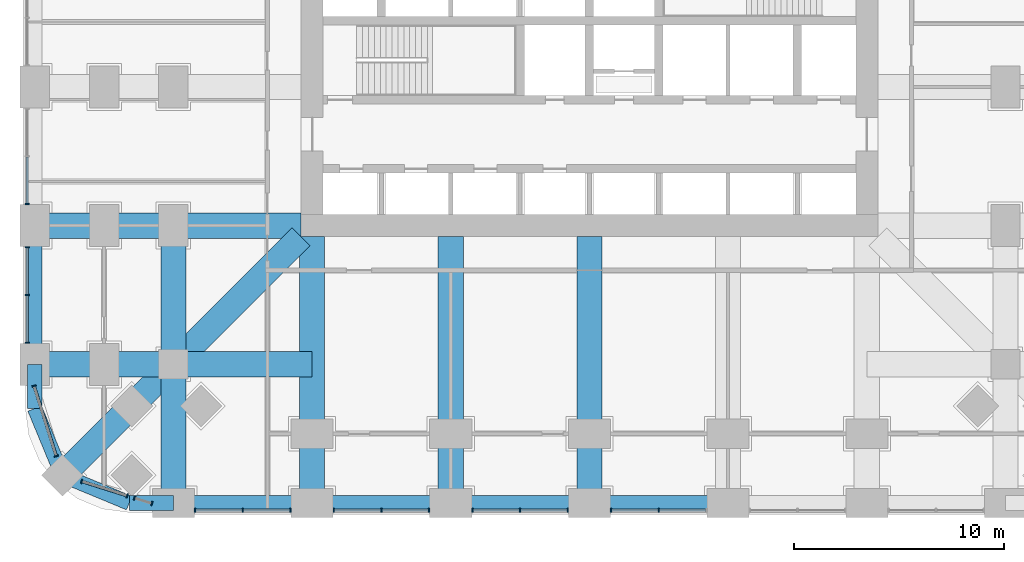
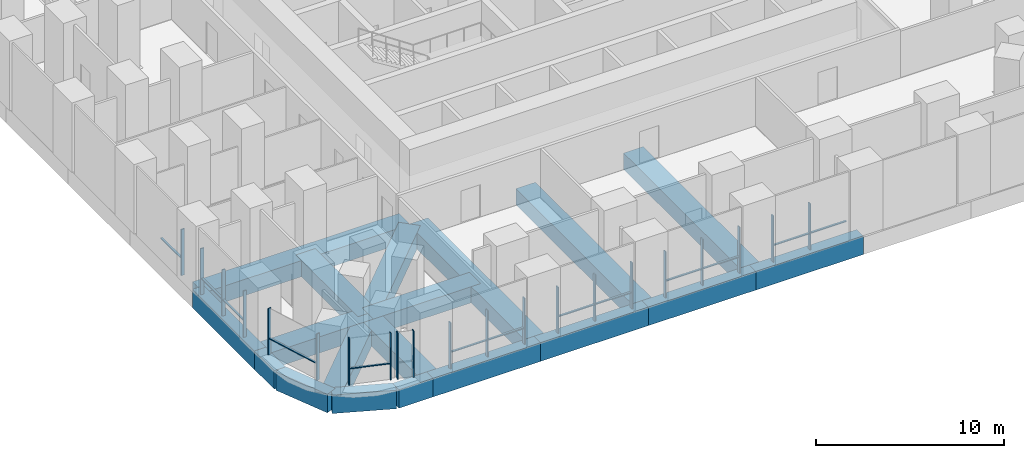
# One storey, part 2 of 17: 34 members, 19 beams, 9 elements without a shape of their own.
"""IFC4 building model written with IfcOpenShell, lengths in metres."""

import ifcopenshell
import ifcopenshell.guid

model = None  # the IFC model being written
_history = None  # IfcOwnerHistory: only IFC2X3 demands one
_inside = {}  # id of a spatial element -> (the spatial element, [elements in it])
_under = {}  # id of a project, library or spatial element -> (it, [spatial elements below it])
_declared = {}  # id of a project -> (the project, [libraries it declares])
_typed = {}  # id of a type object -> (the type object, [elements of that type])
_made_of = {}  # id of a material, layer set ... -> (it, [elements and type objects made of it])


def new_model(schema):
    """Start an empty IFC model of exactly this schema.

    Asked for "IFC4X3", IfcOpenShell would pick the latest addendum, in which some entities
    have other attributes; the version numbers below select the first issue.
    IFC2X3 requires an IfcOwnerHistory on every rooted entity: one is made here for all.
    """
    global model, _history
    if schema == "IFC4X3":
        model = ifcopenshell.file(schema_version=(4, 3, 0, 0))
    else:
        model = ifcopenshell.file(schema=schema)
    _inside.clear()
    _under.clear()
    _declared.clear()
    _typed.clear()
    _made_of.clear()
    _history = None
    if model.schema == "IFC2X3":
        org = make("IfcOrganization", Name="unknown")
        user = make(
            "IfcPersonAndOrganization",
            ThePerson=make("IfcPerson", FamilyName="unknown"),
            TheOrganization=org,
        )
        app = make(
            "IfcApplication",
            ApplicationDeveloper=org,
            Version="unknown",
            ApplicationFullName="unknown",
            ApplicationIdentifier="unknown",
        )
        _history = make(
            "IfcOwnerHistory",
            OwningUser=user,
            OwningApplication=app,
            ChangeAction="ADDED",
            CreationDate=0,
        )
    return model


def make(cls, **values):
    """One entity of the class cls with the attributes given. An attribute that is None is left unset."""
    return model.create_entity(
        cls, **{name: value for name, value in values.items() if value is not None}
    )


def rooted(cls, **values):
    """An entity with a GlobalId (a new one), such as an element, a storey or a relation."""
    return make(cls, GlobalId=ifcopenshell.guid.new(), OwnerHistory=_history, **values)


def si_unit(unit_type, name, prefix=None):
    """IfcSIUnit, for example si_unit("LENGTHUNIT", "METRE", prefix="MILLI")."""
    return make("IfcSIUnit", UnitType=unit_type, Prefix=prefix, Name=name)


def assignment(units):
    """IfcUnitAssignment: the units of a project."""
    return None if units is None else make("IfcUnitAssignment", Units=units)


def point(xyz):
    """IfcCartesianPoint."""
    return None if xyz is None else make("IfcCartesianPoint", Coordinates=xyz)


def direction(xyz):
    """IfcDirection."""
    return None if xyz is None else make("IfcDirection", DirectionRatios=xyz)


def frame(location, z_axis=None, x_axis=None):
    """IfcAxis2Placement3D, a coordinate frame: its origin and axes. An axis left out is left unset."""
    return make(
        "IfcAxis2Placement3D",
        Location=point(location),
        Axis=direction(z_axis),
        RefDirection=direction(x_axis),
    )


def frame_2d(location, x_axis=None):
    """IfcAxis2Placement2D, a coordinate frame in the plane: its origin and x axis."""
    return make(
        "IfcAxis2Placement2D", Location=point(location), RefDirection=direction(x_axis)
    )


def origin():
    """The frame at (0, 0, 0) with its axes left unset."""
    return frame((0.0, 0.0, 0.0))


def origin_2d():
    """The frame at (0, 0) in the plane with its x axis left unset."""
    return frame_2d((0.0, 0.0))


def place(relative_to, where):
    """IfcLocalPlacement: puts the frame where relative to a parent placement (None: the world)."""
    return make(
        "IfcLocalPlacement", PlacementRelTo=relative_to, RelativePlacement=where
    )


def context(
    kind, dimensions, precision=None, world=None, true_north=None, identifier=None
):
    """IfcGeometricRepresentationContext, for example the 3D "Model" context."""
    return make(
        "IfcGeometricRepresentationContext",
        ContextIdentifier=identifier,
        ContextType=kind,
        CoordinateSpaceDimension=dimensions,
        Precision=precision,
        WorldCoordinateSystem=world,
        TrueNorth=true_north,
    )


def subcontext(parent, identifier, kind, view, scale=None):
    """IfcGeometricRepresentationSubContext, for example "Body" below "Model"."""
    return make(
        "IfcGeometricRepresentationSubContext",
        ContextIdentifier=identifier,
        ContextType=kind,
        ParentContext=parent,
        TargetScale=scale,
        TargetView=view,
    )


def project(units=None, contexts=None):
    """IfcProject with its units and contexts."""
    return rooted(
        "IfcProject",
        Name="project",
        RepresentationContexts=contexts,
        UnitsInContext=assignment(units),
    )


def spatial(cls, under=None, at=None, **own):
    """A site, building, storey or space (cls), placed at a placement, below another one or the project."""
    s = rooted(cls, ObjectPlacement=at, **own)
    if under is not None:
        _under.setdefault(under.id(), (under, []))[1].append(s)
    return s


def profile(cls, at=None, kind="AREA", **sizes):
    """A parametric profile (cls). Its sizes go by their IFC names, for example OverallWidth=200.0."""
    return make(cls, ProfileType=kind, Position=at, **sizes)


def rectangle(**sizes):
    """IfcRectangleProfileDef."""
    return profile("IfcRectangleProfileDef", **sizes)


def extrude(swept, where, along, depth):
    """IfcExtrudedAreaSolid: the profile swept, set in the frame where, extruded along a direction by depth."""
    return make(
        "IfcExtrudedAreaSolid",
        SweptArea=swept,
        Position=where,
        ExtrudedDirection=direction(along),
        Depth=depth,
    )


def shape(context_of_items, identifier, shape_type, items):
    """IfcShapeRepresentation: the items that make up one representation, for example the "Body"."""
    return make(
        "IfcShapeRepresentation",
        ContextOfItems=context_of_items,
        RepresentationIdentifier=identifier,
        RepresentationType=shape_type,
        Items=items,
    )


def material(Name=None, Category=None):
    """IfcMaterial."""
    return make("IfcMaterial", Name=Name, Category=Category)


def material_profile(
    of_material, cross_section, Name=None, Category=None, Priority=None
):
    """IfcMaterialProfile: a cross section and its material."""
    return make(
        "IfcMaterialProfile",
        Name=Name,
        Material=of_material,
        Profile=cross_section,
        Priority=Priority,
        Category=Category,
    )


def profile_set(profiles, Name=None, composite=None):
    """IfcMaterialProfileSet."""
    return make(
        "IfcMaterialProfileSet",
        Name=Name,
        MaterialProfiles=profiles,
        CompositeProfile=composite,
    )


def made_of(thing, what):
    """Note that an element or type object is made of a material, layer set ...; save() writes the relation."""
    if what is not None:
        _made_of.setdefault(what.id(), (what, []))[1].append(thing)
    return thing


def type_object(cls, material=None, **own):
    """A type object (cls), such as IfcWallType, which elements share."""
    return made_of(rooted(cls, **own), material)


def element(
    cls,
    number,
    at=None,
    inside=None,
    cuts=None,
    type_object=None,
    material=None,
    context=None,
    identifier="Body",
    shape_type=None,
    held_by="IfcProductDefinitionShape",
    body=None,
    shapes=None,
    **own,
):
    """One element of the class cls, such as IfcWall. Its Tag is "e" and its number.

    at: its placement. inside: the storey or other place that contains it. cuts: it is an
    opening in that element (IfcRelVoidsElement). A single representation is given by context,
    identifier, shape_type and body (its items); several are given by shapes. held_by: the class
    of the entity that holds the representations. save() writes the other relations.
    """
    e = rooted(cls, Tag="e%d" % number, ObjectPlacement=at, **own)
    if body is not None:
        shapes = [shape(context, identifier, shape_type, body)]
    if shapes is not None:
        e.Representation = make(held_by, Representations=shapes)
    if inside is not None:
        _inside.setdefault(inside.id(), (inside, []))[1].append(e)
    if cuts is not None:
        rooted(
            "IfcRelVoidsElement", RelatingBuildingElement=cuts, RelatedOpeningElement=e
        )
    if type_object is not None:
        _typed.setdefault(type_object.id(), (type_object, []))[1].append(e)
    return made_of(e, material)


def aggregate(whole, parts):
    """IfcRelAggregates: a whole, such as a stair, and the parts it consists of."""
    return rooted("IfcRelAggregates", RelatingObject=whole, RelatedObjects=parts)


def save(model, path):
    """Write the relations noted so far, then the file.

    IfcRelAggregates (storeys below a building ...), IfcRelContainedInSpatialStructure (elements
    in a storey), IfcRelDefinesByType, IfcRelAssociatesMaterial and IfcRelDeclares: one each for
    every whole, place, type object, material and project.
    """
    for whole, parts in _under.values():
        aggregate(whole, parts)
    for where, things in _inside.values():
        rooted(
            "IfcRelContainedInSpatialStructure",
            RelatedElements=things,
            RelatingStructure=where,
        )
    for kind, things in _typed.values():
        rooted("IfcRelDefinesByType", RelatedObjects=things, RelatingType=kind)
    for what, things in _made_of.values():
        rooted("IfcRelAssociatesMaterial", RelatedObjects=things, RelatingMaterial=what)
    for by, libraries in _declared.values():
        rooted("IfcRelDeclares", RelatingContext=by, RelatedDefinitions=libraries)
    model.write(path)


model = new_model("IFC4")

# Units and contexts
model_context = context("Model", 3, precision=1e-05, world=origin(), true_north=direction((0.0, 1.0)))
body_context = subcontext(model_context, "Body", "Model", "MODEL_VIEW")
ifc_project = project(units=[si_unit("LENGTHUNIT", "METRE"), si_unit("AREAUNIT", "SQUARE_METRE"), si_unit("VOLUMEUNIT", "CUBIC_METRE"), si_unit("PLANEANGLEUNIT", "RADIAN"), si_unit("MASSUNIT", "GRAM", prefix="KILO")], contexts=[model_context])

# Site, building, storey
site_placement = place(None, origin())
site = spatial("IfcSite", under=ifc_project, at=site_placement, CompositionType="ELEMENT")
building_placement = place(site_placement, origin())
building = spatial("IfcBuilding", under=site, at=building_placement, Name="Cobogo Forest Laboratory Tower", CompositionType="ELEMENT")
storey_placement = place(building_placement, frame((0.0, 0.0, 12.60009765625)))
storey = spatial("IfcBuildingStorey", under=building, at=storey_placement, Name="L02", CompositionType="ELEMENT", Elevation=12.60009765625)

# Beams
ifc_material_1 = material(Name="Concrete HA-40 (C40/50)", Category="concrete")
ifc_material_profile_1 = material_profile(ifc_material_1, rectangle(XDim=1.199951171875, YDim=1.050048828125, at=origin_2d()), Name="RC 1200x1050")
ifc_profile_set_1 = profile_set([ifc_material_profile_1], Name="Concrete HA-40 (C40/50)")
beam_type_1 = type_object("IfcBeamType", Name="Laboratory floor wide beam 1200x1050", PredefinedType="BEAM", material=ifc_profile_set_1)
for number, where, z_axis, x_axis, name in (
    (1, (13.199951171875, 12.675048828125, -0.8251953125), (0.0, -1.0, 0.0), (1.0, 0.0, 0.0), "RB1 R-3-S L02"),
    (2, (19.800048828125, 12.675048828125, -0.8251953125), (0.0, -1.0, 0.0), (1.0, 0.0, 0.0), "RB1 R-4-S L02"),
    (3, (26.39990234375, 12.675048828125, -0.8251953125), (0.0, -1.0, 0.0), (1.0, 0.0, 0.0), "RB1 R-5-S L02"),
    (4, (12.675048828125, 13.199951171875, -0.8251953125), (-1.0, 0.0, 0.0), (0.0, -1.0, 0.0), "RB1 R-C-W L02"),
):
    element("IfcBeam", number, at=place(storey_placement, frame(where, z_axis=z_axis, x_axis=x_axis)), inside=storey, type_object=beam_type_1, Name=name, PredefinedType="BEAM", context=body_context, shape_type="SweptSolid", body=[
        extrude(rectangle(XDim=1.199951171875, YDim=1.050048828125, at=origin_2d()), origin(), (0.0, 0.0, 1.0), 12.675048828125),
    ])
beam_1_placement = place(storey_placement, frame((6.60009765625, 0.0, -0.8251953125), z_axis=(0.0, 1.0, 0.0), x_axis=(-1.0, 0.0, 0.0)))
element("IfcBeam", 5, at=beam_1_placement, inside=storey, type_object=beam_type_1, Name="RB1 G-SW-XF L02", PredefinedType="BEAM", context=body_context, shape_type="SweptSolid", body=[
    extrude(rectangle(XDim=1.199951171875, YDim=1.050048828125, at=origin_2d()), origin(), (0.0, 0.0, 1.0), 6.60009765625),
])
beam_2_placement = place(storey_placement, frame((6.60009765625, 6.60009765625, -0.8251953125), z_axis=(0.0, 1.0, 0.0), x_axis=(-1.0, 0.0, 0.0)))
element("IfcBeam", 6, at=beam_2_placement, inside=storey, type_object=beam_type_1, Name="RB1 G-SW-XC L02", PredefinedType="BEAM", context=body_context, shape_type="SweptSolid", body=[
    extrude(rectangle(XDim=1.199951171875, YDim=1.050048828125, at=origin_2d()), origin(), (0.0, 0.0, 1.0), 6.599853515625),
])
beam_3_placement = place(storey_placement, frame((0.0, 6.60009765625, -0.8251953125), z_axis=(1.0, 0.0, 0.0), x_axis=(0.0, 1.0, 0.0)))
element("IfcBeam", 7, at=beam_3_placement, inside=storey, type_object=beam_type_1, Name="RB1 G-SW-YF L02", PredefinedType="BEAM", context=body_context, shape_type="SweptSolid", body=[
    extrude(rectangle(XDim=1.199951171875, YDim=1.050048828125, at=origin_2d()), origin(), (0.0, 0.0, 1.0), 6.60009765625),
])
beam_4_placement = place(storey_placement, frame((6.60009765625, 6.60009765625, -0.8251953125), z_axis=(1.0, 0.0, 0.0), x_axis=(0.0, 1.0, 0.0)))
element("IfcBeam", 8, at=beam_4_placement, inside=storey, type_object=beam_type_1, Name="RB1 G-SW-YC L02", PredefinedType="BEAM", context=body_context, shape_type="SweptSolid", body=[
    extrude(rectangle(XDim=1.199951171875, YDim=1.050048828125, at=origin_2d()), origin(), (0.0, 0.0, 1.0), 6.599853515625),
])
beam_5_placement = place(storey_placement, frame((1.318115234375, 1.318115234375, -0.8251953125), z_axis=(0.707106781187, 0.707106781187, 0.0), x_axis=(-0.707106781187, 0.707106781187, 0.0)))
element("IfcBeam", 9, at=beam_5_placement, inside=storey, type_object=beam_type_1, Name="RB1 G-SW-D1 L02", PredefinedType="BEAM", context=body_context, shape_type="SweptSolid", body=[
    extrude(rectangle(XDim=1.199951171875, YDim=1.050048828125, at=origin_2d()), origin(), (0.0, 0.0, 1.0), 7.469970703125),
])
beam_6_placement = place(storey_placement, frame((6.60009765625, 6.60009765625, -0.8251953125), z_axis=(0.707106781187, 0.707106781187, 0.0), x_axis=(-0.707106781187, 0.707106781187, 0.0)))
element("IfcBeam", 10, at=beam_6_placement, inside=storey, type_object=beam_type_1, Name="RB1 G-SW-D2 L02", PredefinedType="BEAM", context=body_context, shape_type="SweptSolid", body=[
    extrude(rectangle(XDim=1.199951171875, YDim=1.050048828125, at=origin_2d()), origin(), (0.0, 0.0, 1.0), 8.59130859375),
])

# Curtain wall, members
ifc_material_2 = material(Name="Aluminium curtain wall", Category="aluminium")
curtain_wall_type = type_object("IfcCurtainWallType", Name="CW-K stick curtain wall, podium laboratories", PredefinedType="USERDEFINED", material=ifc_material_2)
curtain_wall_1_placement = place(storey_placement, origin())
curtain_wall_1 = element("IfcCurtainWall", 11, at=curtain_wall_1_placement, inside=storey, type_object=curtain_wall_type, Name="Curtain wall 01 L02", ObjectType="STICK CURTAIN WALL", PredefinedType="USERDEFINED")
ifc_material_3 = material(Name="Aluminium mullion", Category="aluminium")
ifc_material_profile_2 = material_profile(ifc_material_3, rectangle(XDim=0.06005859375, YDim=0.199951171875, at=origin_2d()), Name="AL 60x200")
ifc_profile_set_2 = profile_set([ifc_material_profile_2], Name="Aluminium mullion")
member_type_1 = type_object("IfcMemberType", Name="MU-2 aluminium mullion 60x200", PredefinedType="MULLION", material=ifc_profile_set_2)
member_1_placement = place(storey_placement, frame((7.6298828125, -0.35009765625, 0.0), z_axis=(0.0, 0.0, 1.0), x_axis=(1.0, 0.0, 0.0)))
member_1 = element("IfcMember", 12, at=member_1_placement, type_object=member_type_1, Name="CW-K mullion 1", PredefinedType="MULLION", context=body_context, shape_type="SweptSolid", body=[
    extrude(rectangle(XDim=0.06005859375, YDim=0.199951171875, at=origin_2d()), origin(), (0.0, 0.0, 1.0), 3.0),
])
member_2_placement = place(storey_placement, frame((9.89990234375, -0.35009765625, 0.0), z_axis=(0.0, 0.0, 1.0), x_axis=(1.0, 0.0, 0.0)))
member_2 = element("IfcMember", 13, at=member_2_placement, type_object=member_type_1, Name="CW-K mullion 2", PredefinedType="MULLION", context=body_context, shape_type="SweptSolid", body=[
    extrude(rectangle(XDim=0.06005859375, YDim=0.199951171875, at=origin_2d()), origin(), (0.0, 0.0, 1.0), 3.0),
])
member_3_placement = place(storey_placement, frame((12.169921875, -0.35009765625, 0.0), z_axis=(0.0, 0.0, 1.0), x_axis=(1.0, 0.0, 0.0)))
member_3 = element("IfcMember", 14, at=member_3_placement, type_object=member_type_1, Name="CW-K mullion 3", PredefinedType="MULLION", context=body_context, shape_type="SweptSolid", body=[
    extrude(rectangle(XDim=0.06005859375, YDim=0.199951171875, at=origin_2d()), origin(), (0.0, 0.0, 1.0), 3.0),
])

curtain_wall_2_placement = place(storey_placement, origin())
curtain_wall_2 = element("IfcCurtainWall", 15, at=curtain_wall_2_placement, inside=storey, type_object=curtain_wall_type, Name="Curtain wall 02 L02", ObjectType="STICK CURTAIN WALL", PredefinedType="USERDEFINED")
member_4_placement = place(storey_placement, frame((14.22998046875, -0.35009765625, 0.0), z_axis=(0.0, 0.0, 1.0), x_axis=(1.0, 0.0, 0.0)))
member_4 = element("IfcMember", 16, at=member_4_placement, type_object=member_type_1, Name="CW-K mullion 1", PredefinedType="MULLION", context=body_context, shape_type="SweptSolid", body=[
    extrude(rectangle(XDim=0.06005859375, YDim=0.199951171875, at=origin_2d()), origin(), (0.0, 0.0, 1.0), 3.0),
])
member_5_placement = place(storey_placement, frame((16.5, -0.35009765625, 0.0), z_axis=(0.0, 0.0, 1.0), x_axis=(1.0, 0.0, 0.0)))
member_5 = element("IfcMember", 17, at=member_5_placement, type_object=member_type_1, Name="CW-K mullion 2", PredefinedType="MULLION", context=body_context, shape_type="SweptSolid", body=[
    extrude(rectangle(XDim=0.06005859375, YDim=0.199951171875, at=origin_2d()), origin(), (0.0, 0.0, 1.0), 3.0),
])
member_6_placement = place(storey_placement, frame((18.77001953125, -0.35009765625, 0.0), z_axis=(0.0, 0.0, 1.0), x_axis=(1.0, 0.0, 0.0)))
member_6 = element("IfcMember", 18, at=member_6_placement, type_object=member_type_1, Name="CW-K mullion 3", PredefinedType="MULLION", context=body_context, shape_type="SweptSolid", body=[
    extrude(rectangle(XDim=0.06005859375, YDim=0.199951171875, at=origin_2d()), origin(), (0.0, 0.0, 1.0), 3.0),
])

curtain_wall_3_placement = place(storey_placement, origin())
curtain_wall_3 = element("IfcCurtainWall", 19, at=curtain_wall_3_placement, inside=storey, type_object=curtain_wall_type, Name="Curtain wall 03 L02", ObjectType="STICK CURTAIN WALL", PredefinedType="USERDEFINED")
member_7_placement = place(storey_placement, frame((20.830078125, -0.35009765625, 0.0), z_axis=(0.0, 0.0, 1.0), x_axis=(1.0, 0.0, 0.0)))
member_7 = element("IfcMember", 20, at=member_7_placement, type_object=member_type_1, Name="CW-K mullion 1", PredefinedType="MULLION", context=body_context, shape_type="SweptSolid", body=[
    extrude(rectangle(XDim=0.06005859375, YDim=0.199951171875, at=origin_2d()), origin(), (0.0, 0.0, 1.0), 3.0),
])
member_8_placement = place(storey_placement, frame((23.10009765625, -0.35009765625, 0.0), z_axis=(0.0, 0.0, 1.0), x_axis=(1.0, 0.0, 0.0)))
member_8 = element("IfcMember", 21, at=member_8_placement, type_object=member_type_1, Name="CW-K mullion 2", PredefinedType="MULLION", context=body_context, shape_type="SweptSolid", body=[
    extrude(rectangle(XDim=0.06005859375, YDim=0.199951171875, at=origin_2d()), origin(), (0.0, 0.0, 1.0), 3.0),
])
member_9_placement = place(storey_placement, frame((25.3701171875, -0.35009765625, 0.0), z_axis=(0.0, 0.0, 1.0), x_axis=(1.0, 0.0, 0.0)))
member_9 = element("IfcMember", 22, at=member_9_placement, type_object=member_type_1, Name="CW-K mullion 3", PredefinedType="MULLION", context=body_context, shape_type="SweptSolid", body=[
    extrude(rectangle(XDim=0.06005859375, YDim=0.199951171875, at=origin_2d()), origin(), (0.0, 0.0, 1.0), 3.0),
])

curtain_wall_4_placement = place(storey_placement, origin())
curtain_wall_4 = element("IfcCurtainWall", 23, at=curtain_wall_4_placement, inside=storey, type_object=curtain_wall_type, Name="Curtain wall 04 L02", ObjectType="STICK CURTAIN WALL", PredefinedType="USERDEFINED")
member_10_placement = place(storey_placement, frame((27.429931640625, -0.35009765625, 0.0), z_axis=(0.0, 0.0, 1.0), x_axis=(1.0, 0.0, 0.0)))
member_10 = element("IfcMember", 24, at=member_10_placement, type_object=member_type_1, Name="CW-K mullion 1", PredefinedType="MULLION", context=body_context, shape_type="SweptSolid", body=[
    extrude(rectangle(XDim=0.06005859375, YDim=0.199951171875, at=origin_2d()), origin(), (0.0, 0.0, 1.0), 3.0),
])
member_11_placement = place(storey_placement, frame((29.699951171875, -0.35009765625, 0.0), z_axis=(0.0, 0.0, 1.0), x_axis=(1.0, 0.0, 0.0)))
member_11 = element("IfcMember", 25, at=member_11_placement, type_object=member_type_1, Name="CW-K mullion 2", PredefinedType="MULLION", context=body_context, shape_type="SweptSolid", body=[
    extrude(rectangle(XDim=0.06005859375, YDim=0.199951171875, at=origin_2d()), origin(), (0.0, 0.0, 1.0), 3.0),
])

# Curtain wall, member
curtain_wall_5_placement = place(storey_placement, origin())
curtain_wall_5 = element("IfcCurtainWall", 26, at=curtain_wall_5_placement, inside=storey, type_object=curtain_wall_type, Name="Curtain wall 30 L02", ObjectType="STICK CURTAIN WALL", PredefinedType="USERDEFINED")
member_12_placement = place(storey_placement, frame((-0.35009765625, 14.22998046875, 0.0), z_axis=(0.0, 0.0, 1.0), x_axis=(0.0, -1.0, 0.0)))
member_12 = element("IfcMember", 27, at=member_12_placement, type_object=member_type_1, Name="CW-K mullion 3", PredefinedType="MULLION", context=body_context, shape_type="SweptSolid", body=[
    extrude(rectangle(XDim=0.06005859375, YDim=0.199951171875, at=origin_2d()), origin(), (0.0, 0.0, 1.0), 3.0),
])

# Curtain wall, members
curtain_wall_6_placement = place(storey_placement, origin())
curtain_wall_6 = element("IfcCurtainWall", 28, at=curtain_wall_6_placement, inside=storey, type_object=curtain_wall_type, Name="Curtain wall 31 L02", ObjectType="STICK CURTAIN WALL", PredefinedType="USERDEFINED")
member_13_placement = place(storey_placement, frame((-0.35009765625, 12.169921875, 0.0), z_axis=(0.0, 0.0, 1.0), x_axis=(0.0, -1.0, 0.0)))
member_13 = element("IfcMember", 29, at=member_13_placement, type_object=member_type_1, Name="CW-K mullion 1", PredefinedType="MULLION", context=body_context, shape_type="SweptSolid", body=[
    extrude(rectangle(XDim=0.06005859375, YDim=0.199951171875, at=origin_2d()), origin(), (0.0, 0.0, 1.0), 3.0),
])
member_14_placement = place(storey_placement, frame((-0.35009765625, 9.89990234375, 0.0), z_axis=(0.0, 0.0, 1.0), x_axis=(0.0, -1.0, 0.0)))
member_14 = element("IfcMember", 30, at=member_14_placement, type_object=member_type_1, Name="CW-K mullion 2", PredefinedType="MULLION", context=body_context, shape_type="SweptSolid", body=[
    extrude(rectangle(XDim=0.06005859375, YDim=0.199951171875, at=origin_2d()), origin(), (0.0, 0.0, 1.0), 3.0),
])
member_15_placement = place(storey_placement, frame((-0.35009765625, 7.6298828125, 0.0), z_axis=(0.0, 0.0, 1.0), x_axis=(0.0, -1.0, 0.0)))
member_15 = element("IfcMember", 31, at=member_15_placement, type_object=member_type_1, Name="CW-K mullion 3", PredefinedType="MULLION", context=body_context, shape_type="SweptSolid", body=[
    extrude(rectangle(XDim=0.06005859375, YDim=0.199951171875, at=origin_2d()), origin(), (0.0, 0.0, 1.0), 3.0),
])

curtain_wall_7_placement = place(storey_placement, origin())
curtain_wall_7 = element("IfcCurtainWall", 32, at=curtain_wall_7_placement, inside=storey, type_object=curtain_wall_type, Name="Curtain wall 32 L02", ObjectType="STICK CURTAIN WALL", PredefinedType="USERDEFINED")
member_16_placement = place(storey_placement, frame((-0.025146484375, 5.5712890625, 0.0), z_axis=(0.0, 0.0, 1.0), x_axis=(0.301135433696, -0.953581381201, 0.0)))
member_16 = element("IfcMember", 33, at=member_16_placement, type_object=member_type_1, Name="CW-K mullion 1", PredefinedType="MULLION", context=body_context, shape_type="SweptSolid", body=[
    extrude(rectangle(XDim=0.06005859375, YDim=0.199951171875, at=origin_2d()), origin(), (0.0, 0.0, 1.0), 3.0),
])
member_17_placement = place(storey_placement, frame((1.02734375, 2.23876953125, 0.0), z_axis=(0.0, 0.0, 1.0), x_axis=(0.301135433696, -0.953581381201, 0.0)))
member_17 = element("IfcMember", 34, at=member_17_placement, type_object=member_type_1, Name="CW-K mullion 2", PredefinedType="MULLION", context=body_context, shape_type="SweptSolid", body=[
    extrude(rectangle(XDim=0.06005859375, YDim=0.199951171875, at=origin_2d()), origin(), (0.0, 0.0, 1.0), 3.0),
])

curtain_wall_8_placement = place(storey_placement, origin())
curtain_wall_8 = element("IfcCurtainWall", 35, at=curtain_wall_8_placement, inside=storey, type_object=curtain_wall_type, Name="Curtain wall 33 L02", ObjectType="STICK CURTAIN WALL", PredefinedType="USERDEFINED")
member_18_placement = place(storey_placement, frame((2.23876953125, 1.02734375, 0.0), z_axis=(0.0, 0.0, 1.0), x_axis=(0.953581409645, -0.301135343623, 0.0)))
member_18 = element("IfcMember", 36, at=member_18_placement, type_object=member_type_1, Name="CW-K mullion 1", PredefinedType="MULLION", context=body_context, shape_type="SweptSolid", body=[
    extrude(rectangle(XDim=0.06005859375, YDim=0.199951171875, at=origin_2d()), origin(), (0.0, 0.0, 1.0), 3.0),
])
member_19_placement = place(storey_placement, frame((4.39697265625, 0.345703125, 0.0), z_axis=(0.0, 0.0, 1.0), x_axis=(0.953581409645, -0.301135343623, 0.0)))
member_19 = element("IfcMember", 37, at=member_19_placement, type_object=member_type_1, Name="CW-K mullion 2", PredefinedType="MULLION", context=body_context, shape_type="SweptSolid", body=[
    extrude(rectangle(XDim=0.06005859375, YDim=0.199951171875, at=origin_2d()), origin(), (0.0, 0.0, 1.0), 3.0),
])

curtain_wall_9_placement = place(storey_placement, origin())
curtain_wall_9 = element("IfcCurtainWall", 38, at=curtain_wall_9_placement, inside=storey, type_object=curtain_wall_type, Name="Curtain wall 34 L02", ObjectType="STICK CURTAIN WALL", PredefinedType="USERDEFINED")
member_20_placement = place(storey_placement, frame((4.74658203125, 0.2353515625, 0.0), z_axis=(0.0, 0.0, 1.0), x_axis=(0.953581406818, -0.301135352577, 0.0)))
member_20 = element("IfcMember", 39, at=member_20_placement, type_object=member_type_1, Name="CW-K mullion 1", PredefinedType="MULLION", context=body_context, shape_type="SweptSolid", body=[
    extrude(rectangle(XDim=0.06005859375, YDim=0.199951171875, at=origin_2d()), origin(), (0.0, 0.0, 1.0), 3.0),
])
member_21_placement = place(storey_placement, frame((5.5712890625, -0.025146484375, 0.0), z_axis=(0.0, 0.0, 1.0), x_axis=(0.953581406818, -0.301135352577, 0.0)))
member_21 = element("IfcMember", 40, at=member_21_placement, type_object=member_type_1, Name="CW-K mullion 2", PredefinedType="MULLION", context=body_context, shape_type="SweptSolid", body=[
    extrude(rectangle(XDim=0.06005859375, YDim=0.199951171875, at=origin_2d()), origin(), (0.0, 0.0, 1.0), 3.0),
])
aggregate(curtain_wall_9, [member_20, member_21])

# Beams
ifc_material_profile_3 = material_profile(ifc_material_1, rectangle(XDim=0.699951171875, YDim=1.199951171875, at=origin_2d()), Name="RC 700x1200")
ifc_profile_set_3 = profile_set([ifc_material_profile_3], Name="Concrete HA-40 (C40/50)")
beam_type_2 = type_object("IfcBeamType", Name="Perimeter edge beam 700x1200", PredefinedType="BEAM", material=ifc_profile_set_3)
beam_7_placement = place(storey_placement, frame((6.60009765625, 0.0, -0.900146484375), z_axis=(1.0, 0.0, 0.0), x_axis=(0.0, 1.0, 0.0)))
element("IfcBeam", 41, at=beam_7_placement, inside=storey, type_object=beam_type_2, Name="EB1 E-S1 L02", PredefinedType="BEAM", context=body_context, shape_type="SweptSolid", body=[
    extrude(rectangle(XDim=0.699951171875, YDim=1.199951171875, at=origin_2d()), origin(), (0.0, 0.0, 1.0), 6.599853515625),
])
beam_8_placement = place(storey_placement, frame((13.199951171875, 0.0, -0.900146484375), z_axis=(1.0, 0.0, 0.0), x_axis=(0.0, 1.0, 0.0)))
element("IfcBeam", 42, at=beam_8_placement, inside=storey, type_object=beam_type_2, Name="EB1 E-S2 L02", PredefinedType="BEAM", context=body_context, shape_type="SweptSolid", body=[
    extrude(rectangle(XDim=0.699951171875, YDim=1.199951171875, at=origin_2d()), origin(), (0.0, 0.0, 1.0), 6.60009765625),
])
beam_9_placement = place(storey_placement, frame((19.800048828125, 0.0, -0.900146484375), z_axis=(1.0, 0.0, 0.0), x_axis=(0.0, 1.0, 0.0)))
element("IfcBeam", 43, at=beam_9_placement, inside=storey, type_object=beam_type_2, Name="EB1 E-S3 L02", PredefinedType="BEAM", context=body_context, shape_type="SweptSolid", body=[
    extrude(rectangle(XDim=0.699951171875, YDim=1.199951171875, at=origin_2d()), origin(), (0.0, 0.0, 1.0), 6.599853515625),
])
beam_10_placement = place(storey_placement, frame((26.39990234375, 0.0, -0.900146484375), z_axis=(1.0, 0.0, 0.0), x_axis=(0.0, 1.0, 0.0)))
element("IfcBeam", 44, at=beam_10_placement, inside=storey, type_object=beam_type_2, Name="EB1 E-S4 L02", PredefinedType="BEAM", context=body_context, shape_type="SweptSolid", body=[
    extrude(rectangle(XDim=0.699951171875, YDim=1.199951171875, at=origin_2d()), origin(), (0.0, 0.0, 1.0), 6.60009765625),
])
beam_11_placement = place(storey_placement, frame((0.0, 6.60009765625, -0.900146484375), z_axis=(0.0, 1.0, 0.0), x_axis=(-1.0, 0.0, 0.0)))
element("IfcBeam", 45, at=beam_11_placement, inside=storey, type_object=beam_type_2, Name="EB1 E-W1 L02", PredefinedType="BEAM", context=body_context, shape_type="SweptSolid", body=[
    extrude(rectangle(XDim=0.699951171875, YDim=1.199951171875, at=origin_2d()), origin(), (0.0, 0.0, 1.0), 6.599853515625),
])
beam_12_placement = place(storey_placement, frame((6.60009765625, 0.0, -0.900146484375), z_axis=(-1.0, 0.0, 0.0), x_axis=(0.0, -1.0, 0.0)))
element("IfcBeam", 46, at=beam_12_placement, inside=storey, type_object=beam_type_2, Name="EB1 E-SWS1 L02", PredefinedType="BEAM", context=body_context, shape_type="SweptSolid", body=[
    extrude(rectangle(XDim=0.699951171875, YDim=1.199951171875, at=origin_2d()), origin(), (0.0, 0.0, 1.0), 2.10009765625),
])
beam_13_placement = place(storey_placement, frame((4.5, 0.0, -0.900146484375), z_axis=(-0.923865631356, 0.382716990999, 0.0), x_axis=(-0.382716990999, -0.923865631356, 0.0)))
element("IfcBeam", 47, at=beam_13_placement, inside=storey, type_object=beam_type_2, Name="EB1 E-SWS2 L02", PredefinedType="BEAM", context=body_context, shape_type="SweptSolid", body=[
    extrude(rectangle(XDim=0.699951171875, YDim=1.199951171875, at=origin_2d()), origin(), (0.0, 0.0, 1.0), 3.444091796875),
])
beam_14_placement = place(storey_placement, frame((0.0, 6.60009765625, -0.900146484375), z_axis=(0.0, -1.0, 0.0), x_axis=(1.0, 0.0, 0.0)))
element("IfcBeam", 48, at=beam_14_placement, inside=storey, type_object=beam_type_2, Name="EB1 E-SWW1 L02", PredefinedType="BEAM", context=body_context, shape_type="SweptSolid", body=[
    extrude(rectangle(XDim=0.699951171875, YDim=1.199951171875, at=origin_2d()), origin(), (0.0, 0.0, 1.0), 2.10009765625),
])
beam_15_placement = place(storey_placement, frame((0.0, 4.5, -0.900146484375), z_axis=(0.382716990999, -0.923865631356, 0.0), x_axis=(0.923865631356, 0.382716990999, 0.0)))
element("IfcBeam", 49, at=beam_15_placement, inside=storey, type_object=beam_type_2, Name="EB1 E-SWW2 L02", PredefinedType="BEAM", context=body_context, shape_type="SweptSolid", body=[
    extrude(rectangle(XDim=0.699951171875, YDim=1.199951171875, at=origin_2d()), origin(), (0.0, 0.0, 1.0), 3.444091796875),
])

# Member
ifc_material_4 = material(Name="Aluminium transom", Category="aluminium")
ifc_material_profile_4 = material_profile(ifc_material_4, rectangle(XDim=0.1201171875, YDim=0.06005859375, at=origin_2d()), Name="AL 60x120")
ifc_profile_set_4 = profile_set([ifc_material_profile_4], Name="Aluminium transom")
member_type_2 = type_object("IfcMemberType", Name="TR-1 aluminium transom 60x120", PredefinedType="USERDEFINED", material=ifc_profile_set_4)
member_22_placement = place(storey_placement, frame((7.659912109375, -0.35009765625, 1.0498046875), z_axis=(1.0, 0.0, 0.0), x_axis=(0.0, 1.0, 0.0)))
member_22 = element("IfcMember", 50, at=member_22_placement, type_object=member_type_2, Name="CW-K transom 1.1", ObjectType="TRANSOM", PredefinedType="USERDEFINED", context=body_context, shape_type="SweptSolid", body=[
    extrude(rectangle(XDim=0.1201171875, YDim=0.06005859375, at=origin_2d()), origin(), (0.0, 0.0, 1.0), 2.210205078125),
])

member_23_placement = place(storey_placement, frame((9.929931640625, -0.35009765625, 1.0498046875), z_axis=(1.0, 0.0, 0.0), x_axis=(0.0, 1.0, 0.0)))
member_23 = element("IfcMember", 51, at=member_23_placement, type_object=member_type_2, Name="CW-K transom 2.1", ObjectType="TRANSOM", PredefinedType="USERDEFINED", context=body_context, shape_type="SweptSolid", body=[
    extrude(rectangle(XDim=0.1201171875, YDim=0.06005859375, at=origin_2d()), origin(), (0.0, 0.0, 1.0), 2.2099609375),
])

aggregate(curtain_wall_1, [member_1, member_2, member_3, member_22, member_23])

member_24_placement = place(storey_placement, frame((14.260009765625, -0.35009765625, 1.0498046875), z_axis=(1.0, 0.0, 0.0), x_axis=(0.0, 1.0, 0.0)))
member_24 = element("IfcMember", 52, at=member_24_placement, type_object=member_type_2, Name="CW-K transom 1.1", ObjectType="TRANSOM", PredefinedType="USERDEFINED", context=body_context, shape_type="SweptSolid", body=[
    extrude(rectangle(XDim=0.1201171875, YDim=0.06005859375, at=origin_2d()), origin(), (0.0, 0.0, 1.0), 2.2099609375),
])

member_25_placement = place(storey_placement, frame((16.530029296875, -0.35009765625, 1.0498046875), z_axis=(1.0, 0.0, 0.0), x_axis=(0.0, 1.0, 0.0)))
member_25 = element("IfcMember", 53, at=member_25_placement, type_object=member_type_2, Name="CW-K transom 2.1", ObjectType="TRANSOM", PredefinedType="USERDEFINED", context=body_context, shape_type="SweptSolid", body=[
    extrude(rectangle(XDim=0.1201171875, YDim=0.06005859375, at=origin_2d()), origin(), (0.0, 0.0, 1.0), 2.2099609375),
])

aggregate(curtain_wall_2, [member_4, member_5, member_6, member_24, member_25])

member_26_placement = place(storey_placement, frame((20.860107421875, -0.35009765625, 1.0498046875), z_axis=(1.0, 0.0, 0.0), x_axis=(0.0, 1.0, 0.0)))
member_26 = element("IfcMember", 54, at=member_26_placement, type_object=member_type_2, Name="CW-K transom 1.1", ObjectType="TRANSOM", PredefinedType="USERDEFINED", context=body_context, shape_type="SweptSolid", body=[
    extrude(rectangle(XDim=0.1201171875, YDim=0.06005859375, at=origin_2d()), origin(), (0.0, 0.0, 1.0), 2.2099609375),
])

member_27_placement = place(storey_placement, frame((23.1298828125, -0.35009765625, 1.0498046875), z_axis=(1.0, 0.0, 0.0), x_axis=(0.0, 1.0, 0.0)))
member_27 = element("IfcMember", 55, at=member_27_placement, type_object=member_type_2, Name="CW-K transom 2.1", ObjectType="TRANSOM", PredefinedType="USERDEFINED", context=body_context, shape_type="SweptSolid", body=[
    extrude(rectangle(XDim=0.1201171875, YDim=0.06005859375, at=origin_2d()), origin(), (0.0, 0.0, 1.0), 2.210205078125),
])

aggregate(curtain_wall_3, [member_7, member_8, member_9, member_26, member_27])

member_28_placement = place(storey_placement, frame((27.4599609375, -0.35009765625, 1.0498046875), z_axis=(1.0, 0.0, 0.0), x_axis=(0.0, 1.0, 0.0)))
member_28 = element("IfcMember", 56, at=member_28_placement, type_object=member_type_2, Name="CW-K transom 1.1", ObjectType="TRANSOM", PredefinedType="USERDEFINED", context=body_context, shape_type="SweptSolid", body=[
    extrude(rectangle(XDim=0.1201171875, YDim=0.06005859375, at=origin_2d()), origin(), (0.0, 0.0, 1.0), 2.2099609375),
])

member_29_placement = place(storey_placement, frame((29.72998046875, -0.35009765625, 1.0498046875), z_axis=(1.0, 0.0, 0.0), x_axis=(0.0, 1.0, 0.0)))
member_29 = element("IfcMember", 57, at=member_29_placement, type_object=member_type_2, Name="CW-K transom 2.1", ObjectType="TRANSOM", PredefinedType="USERDEFINED", context=body_context, shape_type="SweptSolid", body=[
    extrude(rectangle(XDim=0.1201171875, YDim=0.06005859375, at=origin_2d()), origin(), (0.0, 0.0, 1.0), 2.2099609375),
])

aggregate(curtain_wall_4, [member_10, member_11, member_28, member_29])

member_30_placement = place(storey_placement, frame((-0.35009765625, 16.469970703125, 1.0498046875), z_axis=(0.0, -1.0, 0.0), x_axis=(1.0, 0.0, 0.0)))
member_30 = element("IfcMember", 58, at=member_30_placement, type_object=member_type_2, Name="CW-K transom 2.1", ObjectType="TRANSOM", PredefinedType="USERDEFINED", context=body_context, shape_type="SweptSolid", body=[
    extrude(rectangle(XDim=0.1201171875, YDim=0.06005859375, at=origin_2d()), origin(), (0.0, 0.0, 1.0), 2.2099609375),
])

aggregate(curtain_wall_5, [member_12, member_30])

member_31_placement = place(storey_placement, frame((-0.35009765625, 12.139892578125, 1.0498046875), z_axis=(0.0, -1.0, 0.0), x_axis=(1.0, 0.0, 0.0)))
member_31 = element("IfcMember", 59, at=member_31_placement, type_object=member_type_2, Name="CW-K transom 1.1", ObjectType="TRANSOM", PredefinedType="USERDEFINED", context=body_context, shape_type="SweptSolid", body=[
    extrude(rectangle(XDim=0.1201171875, YDim=0.06005859375, at=origin_2d()), origin(), (0.0, 0.0, 1.0), 2.2099609375),
])

member_32_placement = place(storey_placement, frame((-0.35009765625, 9.8701171875, 1.0498046875), z_axis=(0.0, -1.0, 0.0), x_axis=(1.0, 0.0, 0.0)))
member_32 = element("IfcMember", 60, at=member_32_placement, type_object=member_type_2, Name="CW-K transom 2.1", ObjectType="TRANSOM", PredefinedType="USERDEFINED", context=body_context, shape_type="SweptSolid", body=[
    extrude(rectangle(XDim=0.1201171875, YDim=0.06005859375, at=origin_2d()), origin(), (0.0, 0.0, 1.0), 2.210205078125),
])

aggregate(curtain_wall_6, [member_13, member_14, member_15, member_31, member_32])

member_33_placement = place(storey_placement, frame((-0.01611328125, 5.542724609375, 1.0498046875), z_axis=(0.301155179686, -0.953575145308, 0.0), x_axis=(0.953575145308, 0.301155179686, 0.0)))
member_33 = element("IfcMember", 61, at=member_33_placement, type_object=member_type_2, Name="CW-K transom 1.1", ObjectType="TRANSOM", PredefinedType="USERDEFINED", context=body_context, shape_type="SweptSolid", body=[
    extrude(rectangle(XDim=0.1201171875, YDim=0.06005859375, at=origin_2d()), origin(), (0.0, 0.0, 1.0), 3.434814453125),
])

aggregate(curtain_wall_7, [member_16, member_17, member_33])

member_34_placement = place(storey_placement, frame((2.267333984375, 1.018310546875, 1.0498046875), z_axis=(0.953572616955, -0.301163185322, 0.0), x_axis=(0.301163185322, 0.953572616955, 0.0)))
member_34 = element("IfcMember", 62, at=member_34_placement, type_object=member_type_2, Name="CW-K transom 1.1", ObjectType="TRANSOM", PredefinedType="USERDEFINED", context=body_context, shape_type="SweptSolid", body=[
    extrude(rectangle(XDim=0.1201171875, YDim=0.06005859375, at=origin_2d()), origin(), (0.0, 0.0, 1.0), 2.203369140625),
])

aggregate(curtain_wall_8, [member_18, member_19, member_34])

save(model, "model.ifc")
